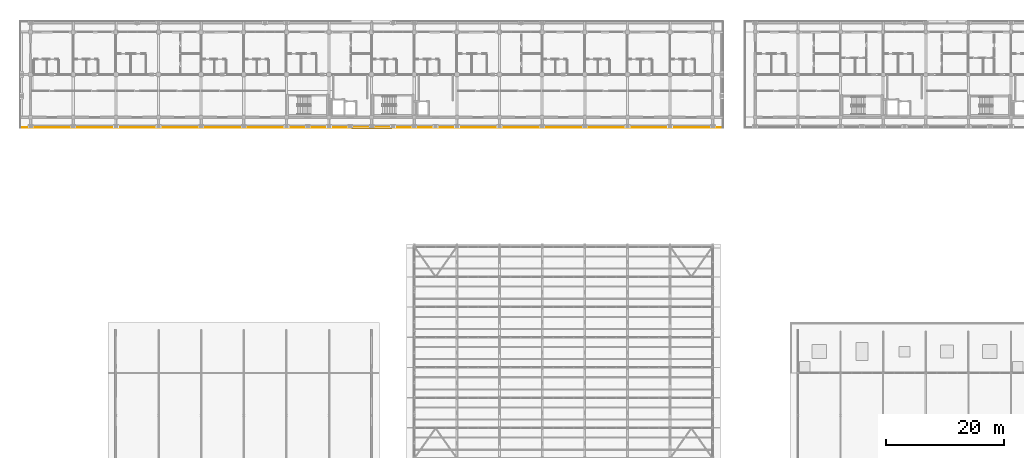
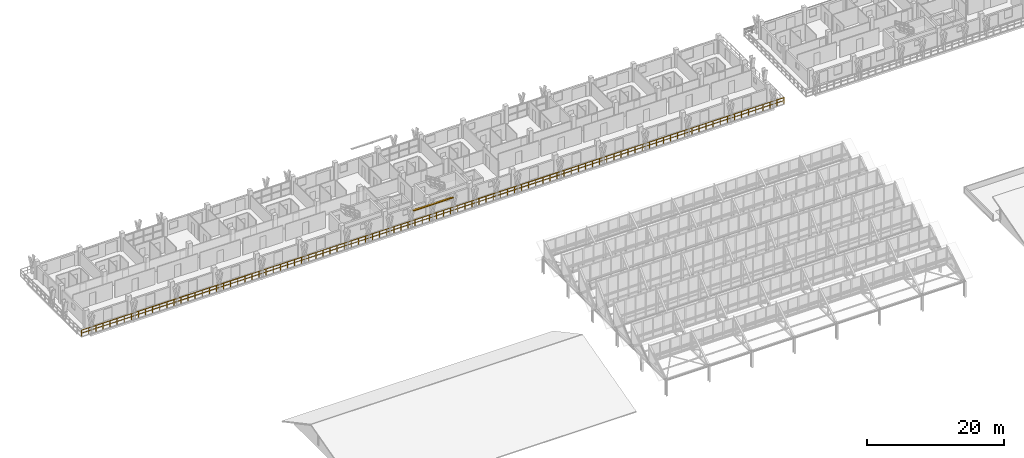
# One storey, part 148 of 157: 1 railing, 1 shading device.
"""IFC4 building model written with IfcOpenShell, lengths in metres."""

from ifc_helpers import new_model, si_unit, direction, frame, origin, origin_2d, place, context, subcontext, project, spatial, rectangle, extrude, material, type_object, element, save


model = new_model("IFC4")

# Units and contexts
model_context = context("Model", 3, precision=1e-05, world=origin(), true_north=direction((0.0, 1.0)))
body_context = subcontext(model_context, "Body", "Model", "MODEL_VIEW")
ifc_project = project(units=[si_unit("LENGTHUNIT", "METRE"), si_unit("AREAUNIT", "SQUARE_METRE"), si_unit("VOLUMEUNIT", "CUBIC_METRE"), si_unit("PLANEANGLEUNIT", "RADIAN"), si_unit("MASSUNIT", "GRAM", prefix="KILO")], contexts=[model_context])

# Site, building, storey
site_placement = place(None, origin())
site = spatial("IfcSite", under=ifc_project, at=site_placement, CompositionType="ELEMENT")
building_placement = place(site_placement, origin())
building = spatial("IfcBuilding", under=site, at=building_placement, Name="Suanplinth Sawtooth Commons", CompositionType="ELEMENT")
storey_placement = place(building_placement, frame((0.0, 0.0, 9.0)))
storey = spatial("IfcBuildingStorey", under=building, at=storey_placement, Name="L02", CompositionType="ELEMENT", Elevation=9.0)

# Railing
ifc_material_1 = material(Name="Powder-coated galvanized steel", Category="steel")
railing_type = type_object("IfcRailingType", Name="GR-01", PredefinedType="BALUSTRADE", material=ifc_material_1)
railing_placement = place(storey_placement, frame((116.93994140625, 106.260009765625, 0.0)))
element("IfcRailing", 1, at=railing_placement, inside=storey, type_object=railing_type, Name="L02 Block A Perimeter Balustrade 4", PredefinedType="BALUSTRADE", context=body_context, shape_type="SweptSolid", body=[
    extrude(rectangle(XDim=0.048095703125, YDim=0.048095703125, at=origin_2d()), frame((0.0, 0.0, 1.09619140625), z_axis=(-1.0, 0.0, 0.0), x_axis=(0.0, -1.0, 0.0)), (0.0, 0.0, 1.0), 118.679931640625),
    extrude(rectangle(XDim=0.03369140625, YDim=0.03369140625, at=origin_2d()), frame((0.0, 0.0, 0.56005859375), z_axis=(-1.0, 0.0, 0.0), x_axis=(0.0, -1.0, 0.0)), (0.0, 0.0, 1.0), 118.679931640625),
    extrude(rectangle(XDim=0.0419921875, YDim=0.0419921875, at=origin_2d()), origin(), (0.0, 0.0, 1.0), 1.072021484375),
    extrude(rectangle(XDim=0.0419921875, YDim=0.0419921875, at=origin_2d()), frame((-1.19873046875, 0.0, 0.0)), (0.0, 0.0, 1.0), 1.072021484375),
    extrude(rectangle(XDim=0.0419921875, YDim=0.0419921875, at=origin_2d()), frame((-2.3974609375, 0.0, 0.0)), (0.0, 0.0, 1.0), 1.072021484375),
    extrude(rectangle(XDim=0.0419921875, YDim=0.0419921875, at=origin_2d()), frame((-3.596435546875, 0.0, 0.0)), (0.0, 0.0, 1.0), 1.072021484375),
    extrude(rectangle(XDim=0.0419921875, YDim=0.0419921875, at=origin_2d()), frame((-4.795166015625, 0.0, 0.0)), (0.0, 0.0, 1.0), 1.072021484375),
    extrude(rectangle(XDim=0.0419921875, YDim=0.0419921875, at=origin_2d()), frame((-5.993896484375, 0.0, 0.0)), (0.0, 0.0, 1.0), 1.072021484375),
    extrude(rectangle(XDim=0.0419921875, YDim=0.0419921875, at=origin_2d()), frame((-7.192626953125, 0.0, 0.0)), (0.0, 0.0, 1.0), 1.072021484375),
    extrude(rectangle(XDim=0.0419921875, YDim=0.0419921875, at=origin_2d()), frame((-8.3916015625, 0.0, 0.0)), (0.0, 0.0, 1.0), 1.072021484375),
    extrude(rectangle(XDim=0.0419921875, YDim=0.0419921875, at=origin_2d()), frame((-9.59033203125, 0.0, 0.0)), (0.0, 0.0, 1.0), 1.072021484375),
    extrude(rectangle(XDim=0.0419921875, YDim=0.0419921875, at=origin_2d()), frame((-10.7890625, 0.0, 0.0)), (0.0, 0.0, 1.0), 1.072021484375),
    extrude(rectangle(XDim=0.0419921875, YDim=0.0419921875, at=origin_2d()), frame((-11.98779296875, 0.0, 0.0)), (0.0, 0.0, 1.0), 1.072021484375),
    extrude(rectangle(XDim=0.0419921875, YDim=0.0419921875, at=origin_2d()), frame((-13.186767578125, 0.0, 0.0)), (0.0, 0.0, 1.0), 1.072021484375),
    extrude(rectangle(XDim=0.0419921875, YDim=0.0419921875, at=origin_2d()), frame((-14.385498046875, 0.0, 0.0)), (0.0, 0.0, 1.0), 1.072021484375),
    extrude(rectangle(XDim=0.0419921875, YDim=0.0419921875, at=origin_2d()), frame((-15.584228515625, 0.0, 0.0)), (0.0, 0.0, 1.0), 1.072021484375),
    extrude(rectangle(XDim=0.0419921875, YDim=0.0419921875, at=origin_2d()), frame((-16.782958984375, 0.0, 0.0)), (0.0, 0.0, 1.0), 1.072021484375),
    extrude(rectangle(XDim=0.0419921875, YDim=0.0419921875, at=origin_2d()), frame((-17.981689453125, 0.0, 0.0)), (0.0, 0.0, 1.0), 1.072021484375),
    extrude(rectangle(XDim=0.0419921875, YDim=0.0419921875, at=origin_2d()), frame((-19.1806640625, 0.0, 0.0)), (0.0, 0.0, 1.0), 1.072021484375),
    extrude(rectangle(XDim=0.0419921875, YDim=0.0419921875, at=origin_2d()), frame((-20.37939453125, 0.0, 0.0)), (0.0, 0.0, 1.0), 1.072021484375),
    extrude(rectangle(XDim=0.0419921875, YDim=0.0419921875, at=origin_2d()), frame((-21.578125, 0.0, 0.0)), (0.0, 0.0, 1.0), 1.072021484375),
    extrude(rectangle(XDim=0.0419921875, YDim=0.0419921875, at=origin_2d()), frame((-22.77685546875, 0.0, 0.0)), (0.0, 0.0, 1.0), 1.072021484375),
    extrude(rectangle(XDim=0.0419921875, YDim=0.0419921875, at=origin_2d()), frame((-23.975830078125, 0.0, 0.0)), (0.0, 0.0, 1.0), 1.072021484375),
    extrude(rectangle(XDim=0.0419921875, YDim=0.0419921875, at=origin_2d()), frame((-25.174560546875, 0.0, 0.0)), (0.0, 0.0, 1.0), 1.072021484375),
    extrude(rectangle(XDim=0.0419921875, YDim=0.0419921875, at=origin_2d()), frame((-26.373291015625, 0.0, 0.0)), (0.0, 0.0, 1.0), 1.072021484375),
    extrude(rectangle(XDim=0.0419921875, YDim=0.0419921875, at=origin_2d()), frame((-27.572021484375, 0.0, 0.0)), (0.0, 0.0, 1.0), 1.072021484375),
    extrude(rectangle(XDim=0.0419921875, YDim=0.0419921875, at=origin_2d()), frame((-28.77099609375, 0.0, 0.0)), (0.0, 0.0, 1.0), 1.072021484375),
    extrude(rectangle(XDim=0.0419921875, YDim=0.0419921875, at=origin_2d()), frame((-29.9697265625, 0.0, 0.0)), (0.0, 0.0, 1.0), 1.072021484375),
    extrude(rectangle(XDim=0.0419921875, YDim=0.0419921875, at=origin_2d()), frame((-31.16845703125, 0.0, 0.0)), (0.0, 0.0, 1.0), 1.072021484375),
    extrude(rectangle(XDim=0.0419921875, YDim=0.0419921875, at=origin_2d()), frame((-32.3671875, 0.0, 0.0)), (0.0, 0.0, 1.0), 1.072021484375),
    extrude(rectangle(XDim=0.0419921875, YDim=0.0419921875, at=origin_2d()), frame((-33.566162109375, 0.0, 0.0)), (0.0, 0.0, 1.0), 1.072021484375),
    extrude(rectangle(XDim=0.0419921875, YDim=0.0419921875, at=origin_2d()), frame((-34.764892578125, 0.0, 0.0)), (0.0, 0.0, 1.0), 1.072021484375),
    extrude(rectangle(XDim=0.0419921875, YDim=0.0419921875, at=origin_2d()), frame((-35.963623046875, 0.0, 0.0)), (0.0, 0.0, 1.0), 1.072021484375),
    extrude(rectangle(XDim=0.0419921875, YDim=0.0419921875, at=origin_2d()), frame((-37.162353515625, 0.0, 0.0)), (0.0, 0.0, 1.0), 1.072021484375),
    extrude(rectangle(XDim=0.0419921875, YDim=0.0419921875, at=origin_2d()), frame((-38.361083984375, 0.0, 0.0)), (0.0, 0.0, 1.0), 1.072021484375),
    extrude(rectangle(XDim=0.0419921875, YDim=0.0419921875, at=origin_2d()), frame((-39.56005859375, 0.0, 0.0)), (0.0, 0.0, 1.0), 1.072021484375),
    extrude(rectangle(XDim=0.0419921875, YDim=0.0419921875, at=origin_2d()), frame((-40.7587890625, 0.0, 0.0)), (0.0, 0.0, 1.0), 1.072021484375),
    extrude(rectangle(XDim=0.0419921875, YDim=0.0419921875, at=origin_2d()), frame((-41.95751953125, 0.0, 0.0)), (0.0, 0.0, 1.0), 1.072021484375),
    extrude(rectangle(XDim=0.0419921875, YDim=0.0419921875, at=origin_2d()), frame((-43.15625, 0.0, 0.0)), (0.0, 0.0, 1.0), 1.072021484375),
    extrude(rectangle(XDim=0.0419921875, YDim=0.0419921875, at=origin_2d()), frame((-44.355224609375, 0.0, 0.0)), (0.0, 0.0, 1.0), 1.072021484375),
    extrude(rectangle(XDim=0.0419921875, YDim=0.0419921875, at=origin_2d()), frame((-45.553955078125, 0.0, 0.0)), (0.0, 0.0, 1.0), 1.072021484375),
    extrude(rectangle(XDim=0.0419921875, YDim=0.0419921875, at=origin_2d()), frame((-46.752685546875, 0.0, 0.0)), (0.0, 0.0, 1.0), 1.072021484375),
    extrude(rectangle(XDim=0.0419921875, YDim=0.0419921875, at=origin_2d()), frame((-47.951416015625, 0.0, 0.0)), (0.0, 0.0, 1.0), 1.072021484375),
    extrude(rectangle(XDim=0.0419921875, YDim=0.0419921875, at=origin_2d()), frame((-49.150390625, 0.0, 0.0)), (0.0, 0.0, 1.0), 1.072021484375),
    extrude(rectangle(XDim=0.0419921875, YDim=0.0419921875, at=origin_2d()), frame((-50.34912109375, 0.0, 0.0)), (0.0, 0.0, 1.0), 1.072021484375),
    extrude(rectangle(XDim=0.0419921875, YDim=0.0419921875, at=origin_2d()), frame((-51.5478515625, 0.0, 0.0)), (0.0, 0.0, 1.0), 1.072021484375),
    extrude(rectangle(XDim=0.0419921875, YDim=0.0419921875, at=origin_2d()), frame((-52.74658203125, 0.0, 0.0)), (0.0, 0.0, 1.0), 1.072021484375),
    extrude(rectangle(XDim=0.0419921875, YDim=0.0419921875, at=origin_2d()), frame((-53.9453125, 0.0, 0.0)), (0.0, 0.0, 1.0), 1.072021484375),
    extrude(rectangle(XDim=0.0419921875, YDim=0.0419921875, at=origin_2d()), frame((-55.144287109375, 0.0, 0.0)), (0.0, 0.0, 1.0), 1.072021484375),
    extrude(rectangle(XDim=0.0419921875, YDim=0.0419921875, at=origin_2d()), frame((-56.343017578125, 0.0, 0.0)), (0.0, 0.0, 1.0), 1.072021484375),
    extrude(rectangle(XDim=0.0419921875, YDim=0.0419921875, at=origin_2d()), frame((-57.541748046875, 0.0, 0.0)), (0.0, 0.0, 1.0), 1.072021484375),
    extrude(rectangle(XDim=0.0419921875, YDim=0.0419921875, at=origin_2d()), frame((-58.740478515625, 0.0, 0.0)), (0.0, 0.0, 1.0), 1.072021484375),
    extrude(rectangle(XDim=0.0419921875, YDim=0.0419921875, at=origin_2d()), frame((-59.939453125, 0.0, 0.0)), (0.0, 0.0, 1.0), 1.072021484375),
    extrude(rectangle(XDim=0.0419921875, YDim=0.0419921875, at=origin_2d()), frame((-61.13818359375, 0.0, 0.0)), (0.0, 0.0, 1.0), 1.072021484375),
    extrude(rectangle(XDim=0.0419921875, YDim=0.0419921875, at=origin_2d()), frame((-62.3369140625, 0.0, 0.0)), (0.0, 0.0, 1.0), 1.072021484375),
    extrude(rectangle(XDim=0.0419921875, YDim=0.0419921875, at=origin_2d()), frame((-63.53564453125, 0.0, 0.0)), (0.0, 0.0, 1.0), 1.072021484375),
    extrude(rectangle(XDim=0.0419921875, YDim=0.0419921875, at=origin_2d()), frame((-64.734619140625, 0.0, 0.0)), (0.0, 0.0, 1.0), 1.072021484375),
    extrude(rectangle(XDim=0.0419921875, YDim=0.0419921875, at=origin_2d()), frame((-65.933349609375, 0.0, 0.0)), (0.0, 0.0, 1.0), 1.072021484375),
    extrude(rectangle(XDim=0.0419921875, YDim=0.0419921875, at=origin_2d()), frame((-67.132080078125, 0.0, 0.0)), (0.0, 0.0, 1.0), 1.072021484375),
    extrude(rectangle(XDim=0.0419921875, YDim=0.0419921875, at=origin_2d()), frame((-68.330810546875, 0.0, 0.0)), (0.0, 0.0, 1.0), 1.072021484375),
    extrude(rectangle(XDim=0.0419921875, YDim=0.0419921875, at=origin_2d()), frame((-69.529541015625, 0.0, 0.0)), (0.0, 0.0, 1.0), 1.072021484375),
    extrude(rectangle(XDim=0.0419921875, YDim=0.0419921875, at=origin_2d()), frame((-70.728515625, 0.0, 0.0)), (0.0, 0.0, 1.0), 1.072021484375),
    extrude(rectangle(XDim=0.0419921875, YDim=0.0419921875, at=origin_2d()), frame((-71.92724609375, 0.0, 0.0)), (0.0, 0.0, 1.0), 1.072021484375),
    extrude(rectangle(XDim=0.0419921875, YDim=0.0419921875, at=origin_2d()), frame((-73.1259765625, 0.0, 0.0)), (0.0, 0.0, 1.0), 1.072021484375),
    extrude(rectangle(XDim=0.0419921875, YDim=0.0419921875, at=origin_2d()), frame((-74.32470703125, 0.0, 0.0)), (0.0, 0.0, 1.0), 1.072021484375),
    extrude(rectangle(XDim=0.0419921875, YDim=0.0419921875, at=origin_2d()), frame((-75.523681640625, 0.0, 0.0)), (0.0, 0.0, 1.0), 1.072021484375),
    extrude(rectangle(XDim=0.0419921875, YDim=0.0419921875, at=origin_2d()), frame((-76.722412109375, 0.0, 0.0)), (0.0, 0.0, 1.0), 1.072021484375),
    extrude(rectangle(XDim=0.0419921875, YDim=0.0419921875, at=origin_2d()), frame((-77.921142578125, 0.0, 0.0)), (0.0, 0.0, 1.0), 1.072021484375),
    extrude(rectangle(XDim=0.0419921875, YDim=0.0419921875, at=origin_2d()), frame((-79.119873046875, 0.0, 0.0)), (0.0, 0.0, 1.0), 1.072021484375),
    extrude(rectangle(XDim=0.0419921875, YDim=0.0419921875, at=origin_2d()), frame((-80.31884765625, 0.0, 0.0)), (0.0, 0.0, 1.0), 1.072021484375),
    extrude(rectangle(XDim=0.0419921875, YDim=0.0419921875, at=origin_2d()), frame((-81.517578125, 0.0, 0.0)), (0.0, 0.0, 1.0), 1.072021484375),
    extrude(rectangle(XDim=0.0419921875, YDim=0.0419921875, at=origin_2d()), frame((-82.71630859375, 0.0, 0.0)), (0.0, 0.0, 1.0), 1.072021484375),
    extrude(rectangle(XDim=0.0419921875, YDim=0.0419921875, at=origin_2d()), frame((-83.9150390625, 0.0, 0.0)), (0.0, 0.0, 1.0), 1.072021484375),
    extrude(rectangle(XDim=0.0419921875, YDim=0.0419921875, at=origin_2d()), frame((-85.11376953125, 0.0, 0.0)), (0.0, 0.0, 1.0), 1.072021484375),
    extrude(rectangle(XDim=0.0419921875, YDim=0.0419921875, at=origin_2d()), frame((-86.312744140625, 0.0, 0.0)), (0.0, 0.0, 1.0), 1.072021484375),
    extrude(rectangle(XDim=0.0419921875, YDim=0.0419921875, at=origin_2d()), frame((-87.511474609375, 0.0, 0.0)), (0.0, 0.0, 1.0), 1.072021484375),
    extrude(rectangle(XDim=0.0419921875, YDim=0.0419921875, at=origin_2d()), frame((-88.710205078125, 0.0, 0.0)), (0.0, 0.0, 1.0), 1.072021484375),
    extrude(rectangle(XDim=0.0419921875, YDim=0.0419921875, at=origin_2d()), frame((-89.908935546875, 0.0, 0.0)), (0.0, 0.0, 1.0), 1.072021484375),
    extrude(rectangle(XDim=0.0419921875, YDim=0.0419921875, at=origin_2d()), frame((-91.10791015625, 0.0, 0.0)), (0.0, 0.0, 1.0), 1.072021484375),
    extrude(rectangle(XDim=0.0419921875, YDim=0.0419921875, at=origin_2d()), frame((-92.306640625, 0.0, 0.0)), (0.0, 0.0, 1.0), 1.072021484375),
    extrude(rectangle(XDim=0.0419921875, YDim=0.0419921875, at=origin_2d()), frame((-93.50537109375, 0.0, 0.0)), (0.0, 0.0, 1.0), 1.072021484375),
    extrude(rectangle(XDim=0.0419921875, YDim=0.0419921875, at=origin_2d()), frame((-94.7041015625, 0.0, 0.0)), (0.0, 0.0, 1.0), 1.072021484375),
    extrude(rectangle(XDim=0.0419921875, YDim=0.0419921875, at=origin_2d()), frame((-95.903076171875, 0.0, 0.0)), (0.0, 0.0, 1.0), 1.072021484375),
    extrude(rectangle(XDim=0.0419921875, YDim=0.0419921875, at=origin_2d()), frame((-97.101806640625, 0.0, 0.0)), (0.0, 0.0, 1.0), 1.072021484375),
    extrude(rectangle(XDim=0.0419921875, YDim=0.0419921875, at=origin_2d()), frame((-98.300537109375, 0.0, 0.0)), (0.0, 0.0, 1.0), 1.072021484375),
    extrude(rectangle(XDim=0.0419921875, YDim=0.0419921875, at=origin_2d()), frame((-99.499267578125, 0.0, 0.0)), (0.0, 0.0, 1.0), 1.072021484375),
    extrude(rectangle(XDim=0.0419921875, YDim=0.0419921875, at=origin_2d()), frame((-100.6982421875, 0.0, 0.0)), (0.0, 0.0, 1.0), 1.072021484375),
    extrude(rectangle(XDim=0.0419921875, YDim=0.0419921875, at=origin_2d()), frame((-101.89697265625, 0.0, 0.0)), (0.0, 0.0, 1.0), 1.072021484375),
    extrude(rectangle(XDim=0.0419921875, YDim=0.0419921875, at=origin_2d()), frame((-103.095703125, 0.0, 0.0)), (0.0, 0.0, 1.0), 1.072021484375),
    extrude(rectangle(XDim=0.0419921875, YDim=0.0419921875, at=origin_2d()), frame((-104.29443359375, 0.0, 0.0)), (0.0, 0.0, 1.0), 1.072021484375),
    extrude(rectangle(XDim=0.0419921875, YDim=0.0419921875, at=origin_2d()), frame((-105.4931640625, 0.0, 0.0)), (0.0, 0.0, 1.0), 1.072021484375),
    extrude(rectangle(XDim=0.0419921875, YDim=0.0419921875, at=origin_2d()), frame((-106.692138671875, 0.0, 0.0)), (0.0, 0.0, 1.0), 1.072021484375),
    extrude(rectangle(XDim=0.0419921875, YDim=0.0419921875, at=origin_2d()), frame((-107.890869140625, 0.0, 0.0)), (0.0, 0.0, 1.0), 1.072021484375),
    extrude(rectangle(XDim=0.0419921875, YDim=0.0419921875, at=origin_2d()), frame((-109.089599609375, 0.0, 0.0)), (0.0, 0.0, 1.0), 1.072021484375),
    extrude(rectangle(XDim=0.0419921875, YDim=0.0419921875, at=origin_2d()), frame((-110.288330078125, 0.0, 0.0)), (0.0, 0.0, 1.0), 1.072021484375),
    extrude(rectangle(XDim=0.0419921875, YDim=0.0419921875, at=origin_2d()), frame((-111.4873046875, 0.0, 0.0)), (0.0, 0.0, 1.0), 1.072021484375),
    extrude(rectangle(XDim=0.0419921875, YDim=0.0419921875, at=origin_2d()), frame((-112.68603515625, 0.0, 0.0)), (0.0, 0.0, 1.0), 1.072021484375),
    extrude(rectangle(XDim=0.0419921875, YDim=0.0419921875, at=origin_2d()), frame((-113.884765625, 0.0, 0.0)), (0.0, 0.0, 1.0), 1.072021484375),
    extrude(rectangle(XDim=0.0419921875, YDim=0.0419921875, at=origin_2d()), frame((-115.08349609375, 0.0, 0.0)), (0.0, 0.0, 1.0), 1.072021484375),
    extrude(rectangle(XDim=0.0419921875, YDim=0.0419921875, at=origin_2d()), frame((-116.282470703125, 0.0, 0.0)), (0.0, 0.0, 1.0), 1.072021484375),
    extrude(rectangle(XDim=0.0419921875, YDim=0.0419921875, at=origin_2d()), frame((-117.481201171875, 0.0, 0.0)), (0.0, 0.0, 1.0), 1.072021484375),
    extrude(rectangle(XDim=0.0419921875, YDim=0.0419921875, at=origin_2d()), frame((-118.679931640625, 0.0, 0.0)), (0.0, 0.0, 1.0), 1.072021484375),
])

# Shading device
ifc_material_2 = material(Name="Anodized aluminium 6063-T6", Category="aluminium")
shading_device_type = type_object("IfcShadingDeviceType", Name="SHD-01", PredefinedType="JALOUSIE", material=ifc_material_2)
shading_device_placement = place(storey_placement, frame((57.60009765625, 106.159912109375, 2.919921875), z_axis=(0.0, 0.0, 1.0), x_axis=(1.0, 0.0, 0.0)))
element("IfcShadingDevice", 2, at=shading_device_placement, inside=storey, type_object=shading_device_type, Name="Monsoon Louvre L02-A-2", PredefinedType="JALOUSIE", context=body_context, shape_type="SweptSolid", body=[
    extrude(rectangle(XDim=6.800048828125, YDim=0.35009765625, at=origin_2d()), origin(), (0.0, 0.0, 1.0), 0.06005859375),
])

save(model, "model.ifc")
